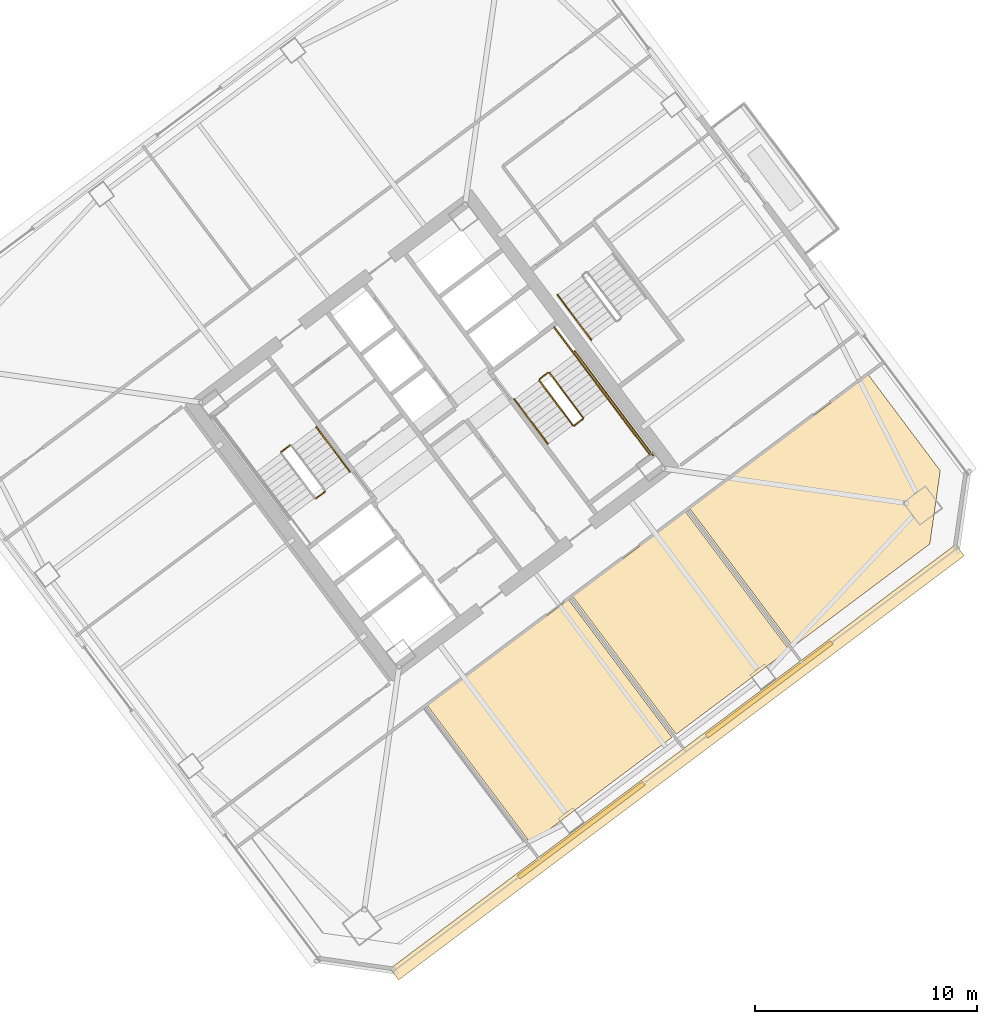
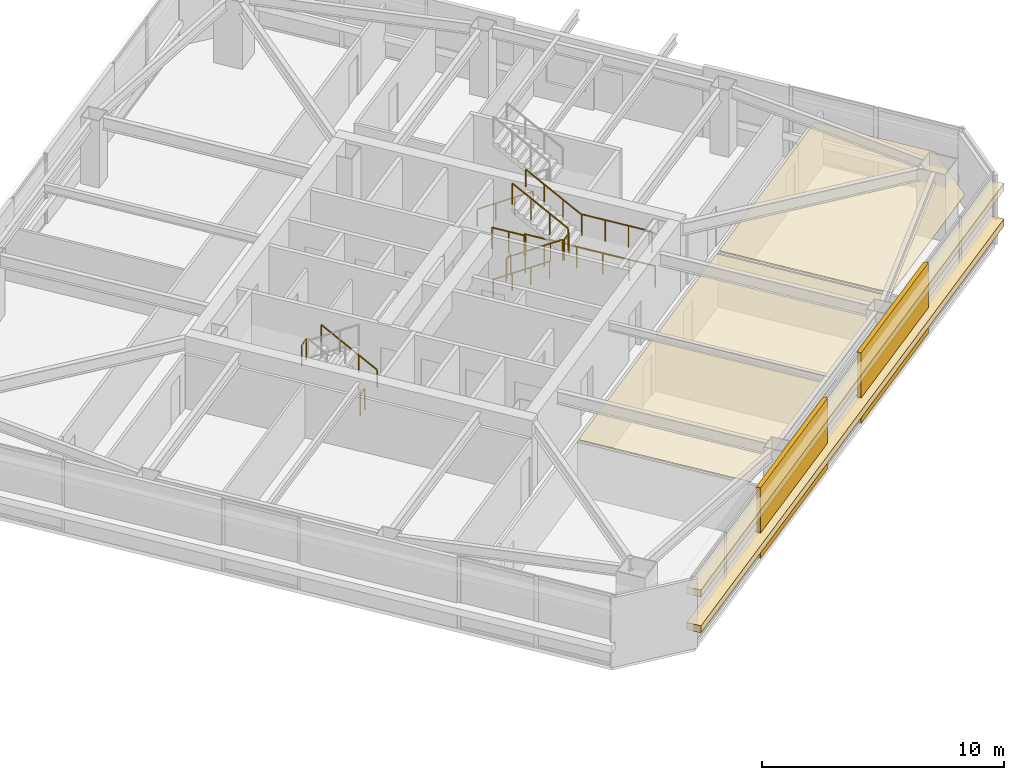
# One storey, part 42 of 44: 13 railings, 7 coverings.
"""IFC4 building model written with IfcOpenShell, lengths in metres."""

from ifc_helpers import new_model, si_unit, direction, frame, origin, origin_2d, place, context, subcontext, project, spatial, polyline, rectangle, outline, extrude, material, layer, layer_set, type_object, element, save


model = new_model("IFC4")

# Units and contexts
model_context = context("Model", 3, precision=1e-05, world=origin(), true_north=direction((0.0, 1.0)))
body_context = subcontext(model_context, "Body", "Model", "MODEL_VIEW")
ifc_project = project(units=[si_unit("LENGTHUNIT", "METRE"), si_unit("AREAUNIT", "SQUARE_METRE"), si_unit("VOLUMEUNIT", "CUBIC_METRE"), si_unit("PLANEANGLEUNIT", "RADIAN"), si_unit("MASSUNIT", "GRAM", prefix="KILO")], contexts=[model_context])

# Site, building, storey
site_placement = place(None, origin())
site = spatial("IfcSite", under=ifc_project, at=site_placement, CompositionType="ELEMENT")
building_placement = place(site_placement, origin())
building = spatial("IfcBuilding", under=site, at=building_placement, Name="Tashvorn Skyway Center", CompositionType="ELEMENT")
storey_placement = place(building_placement, frame((0.0, 0.0, 128.60009765625)))
storey = spatial("IfcBuildingStorey", under=building, at=storey_placement, Name="L34", CompositionType="ELEMENT", Elevation=128.60009765625)

# Coverings
ifc_material_1 = material(Name="Precast concrete C40/50", Category="concrete")
ifc_layer_1 = layer(ifc_material_1, 0.199951171875)
ifc_layer_set_1 = layer_set([ifc_layer_1], Name="Precast concrete C40/50")
covering_type_1 = type_object("IfcCoveringType", Name="COV-BRACE-CLAD", PredefinedType="CLADDING", material=ifc_layer_set_1)
for number, where, z_axis, x_axis, name in (
    (1, (129.20263671875, 20.552001953125, 0.0), (0.0, 0.0, 1.0), (-0.799999996291, -0.600000004945, 0.0), "Tower 2 L34 South Unitised Curtain Wall Mega-Brace Cladding Band 1"),
    (2, (120.7333984375, 14.199951171875, 0.0), (0.0, 0.0, 1.0), (-0.799999996291, -0.600000004945, 0.0), "Tower 2 L34 South Unitised Curtain Wall Mega-Brace Cladding Band 2"),
):
    element("IfcCovering", number, at=place(storey_placement, frame(where, z_axis=z_axis, x_axis=x_axis)), inside=storey, type_object=covering_type_1, Name=name, PredefinedType="CLADDING", context=body_context, shape_type="SweptSolid", body=[
        extrude(rectangle(XDim=7.0576171875, YDim=0.199951171875, at=origin_2d()), origin(), (0.0, 0.0, 1.0), 3.550048828125),
    ])
ifc_material_2 = material(Name="Mineral-fibre acoustic ceiling tile on suspended grid")
ifc_layer_2 = layer(ifc_material_2, 0.02001953125)
ifc_layer_set_2 = layer_set([ifc_layer_2], Name="Mineral-fibre acoustic ceiling tile on suspended grid")
covering_type_2 = type_object("IfcCoveringType", Name="COV-CEIL-20", PredefinedType="CEILING", material=ifc_layer_set_2)
covering_1_placement = place(storey_placement, frame((0.0, 0.0, 2.702880859375)))
element("IfcCovering", 3, at=covering_1_placement, inside=storey, type_object=covering_type_2, Name="Tower 2 L34 Boardroom Acoustic Ceiling", PredefinedType="CEILING", context=body_context, shape_type="SweptSolid", body=[
    extrude(outline(polyline([(113.781982421875, 19.823974609375), (120.14990234375, 24.60009765625), (124.81201171875, 18.384033203125), (118.444091796875, 13.60791015625), (113.781982421875, 19.823974609375)])), origin(), (0.0, 0.0, 1.0), 0.02001953125),
])
covering_2_placement = place(storey_placement, frame((0.0, 0.0, 2.702880859375)))
element("IfcCovering", 4, at=covering_2_placement, inside=storey, type_object=covering_type_2, Name="Tower 2 L34 Boardroom Acoustic Ceiling", PredefinedType="CEILING", context=body_context, shape_type="SweptSolid", body=[
    extrude(outline(polyline([(120.342041015625, 24.743896484375), (125.429931640625, 28.56005859375), (130.092041015625, 22.343994140625), (125.00390625, 18.528076171875), (120.342041015625, 24.743896484375)])), origin(), (0.0, 0.0, 1.0), 0.02001953125),
])
covering_3_placement = place(storey_placement, frame((0.0, 0.0, 2.702880859375)))
element("IfcCovering", 5, at=covering_3_placement, inside=storey, type_object=covering_type_2, Name="Tower 2 L34 Staff Fitness Club Acoustic Ceiling", PredefinedType="CEILING", context=body_context, shape_type="SweptSolid", body=[
    extrude(outline(polyline([(130.283935546875, 22.488037109375), (125.6220703125, 28.7041015625), (133.669921875, 34.739990234375), (136.916015625, 30.412109375), (136.444091796875, 27.10791015625), (130.283935546875, 22.488037109375)])), origin(), (0.0, 0.0, 1.0), 0.02001953125),
])
ifc_material_3 = material(Name="Perforated ceramic-coated bronze aluminium solar screen", Category="aluminium")
ifc_layer_3 = layer(ifc_material_3, 0.85009765625)
ifc_layer_set_3 = layer_set([ifc_layer_3], Name="Perforated ceramic-coated bronze aluminium solar screen")
covering_type_3 = type_object("IfcCoveringType", Name="COV-SOLAR-BAND", PredefinedType="CLADDING", material=ifc_layer_set_3)
for number, where, z_axis, x_axis, name in (
    (6, (125.052001953125, 17.263916015625, 0.919921875), (0.0, 0.0, 1.0), (-0.799999996291, -0.600000004945, 0.0), "L34 Perforated Ceramic-Metal Solar Screen Louvre Band South 1"),
    (7, (125.052001953125, 17.263916015625, 2.7197265625), (0.0, 0.0, 1.0), (-0.799999996291, -0.600000004945, 0.0), "L34 Perforated Ceramic-Metal Solar Screen Louvre Band South 2"),
):
    element("IfcCovering", number, at=place(storey_placement, frame(where, z_axis=z_axis, x_axis=x_axis)), inside=storey, type_object=covering_type_3, Name=name, PredefinedType="CLADDING", context=body_context, shape_type="SweptSolid", body=[
        extrude(rectangle(XDim=31.8798828125, YDim=0.639892578125, at=origin_2d()), origin(), (0.0, 0.0, 1.0), 0.360107421875),
    ])

# Railings
ifc_material_4 = material(Name="Brushed stainless steel 316", Category="steel")
railing_type_1 = type_object("IfcRailingType", Name="RAIL-HAND-920", PredefinedType="HANDRAIL", material=ifc_material_4)
railing_1_placement = place(storey_placement, frame((110.2880859375, 30.365966796875, 0.177490234375)))
element("IfcRailing", 8, at=railing_1_placement, inside=storey, type_object=railing_type_1, Name="L34 ST-T2-1 stair handrail 1", PredefinedType="HANDRAIL", context=body_context, shape_type="SweptSolid", body=[
    extrude(rectangle(XDim=0.048095703125, YDim=0.048095703125, at=origin_2d()), frame((0.0, 0.0, 0.8759765625), z_axis=(-0.506801609611, 0.675680931896, 0.535357270211), x_axis=(-0.799976749893, -0.600030998891, 0.0)), (0.0, 0.0, 1.0), 2.98388671875),
    extrude(rectangle(XDim=0.0419921875, YDim=0.0419921875, at=origin_2d()), origin(), (0.0, 0.0, 1.0), 0.851806640625),
    extrude(rectangle(XDim=0.0419921875, YDim=0.0419921875, at=origin_2d()), frame((-0.504150390625, 0.672119140625, 0.532470703125)), (0.0, 0.0, 1.0), 0.851806640625),
    extrude(rectangle(XDim=0.0419921875, YDim=0.0419921875, at=origin_2d()), frame((-1.008056640625, 1.343994140625, 1.06494140625)), (0.0, 0.0, 1.0), 0.851806640625),
    extrude(rectangle(XDim=0.0419921875, YDim=0.0419921875, at=origin_2d()), frame((-1.51220703125, 2.01611328125, 1.597412109375)), (0.0, 0.0, 1.0), 0.851806640625),
])
railing_2_placement = place(storey_placement, frame((117.7119140625, 33.634033203125, 0.177490234375)))
element("IfcRailing", 9, at=railing_2_placement, inside=storey, type_object=railing_type_1, Name="L34 ST-T2-2 stair handrail 1", PredefinedType="HANDRAIL", context=body_context, shape_type="SweptSolid", body=[
    extrude(rectangle(XDim=0.048095703125, YDim=0.048095703125, at=origin_2d()), frame((0.0, 0.0, 0.8759765625), z_axis=(0.506801609611, -0.675680931896, 0.535357270211), x_axis=(0.799976749893, 0.600030998891, 0.0)), (0.0, 0.0, 1.0), 2.98388671875),
    extrude(rectangle(XDim=0.0419921875, YDim=0.0419921875, at=origin_2d()), origin(), (0.0, 0.0, 1.0), 0.851806640625),
    extrude(rectangle(XDim=0.0419921875, YDim=0.0419921875, at=origin_2d()), frame((0.504150390625, -0.672119140625, 0.532470703125)), (0.0, 0.0, 1.0), 0.851806640625),
    extrude(rectangle(XDim=0.0419921875, YDim=0.0419921875, at=origin_2d()), frame((1.008056640625, -1.343994140625, 1.06494140625)), (0.0, 0.0, 1.0), 0.851806640625),
    extrude(rectangle(XDim=0.0419921875, YDim=0.0419921875, at=origin_2d()), frame((1.51220703125, -2.01611328125, 1.597412109375)), (0.0, 0.0, 1.0), 0.851806640625),
])
railing_3_placement = place(storey_placement, frame((121.927978515625, 33.64599609375, 1.952392578125)))
element("IfcRailing", 10, at=railing_3_placement, inside=storey, type_object=railing_type_1, Name="L34 ST-T2-2 stair handrail 2", PredefinedType="HANDRAIL", context=body_context, shape_type="SweptSolid", body=[
    extrude(rectangle(XDim=0.048095703125, YDim=0.048095703125, at=origin_2d()), frame((0.0, 0.0, 0.8759765625), z_axis=(-0.506740800098, 0.675708949977, 0.535379469569), x_axis=(-0.800023250257, -0.599968998406, 0.0)), (0.0, 0.0, 1.0), 2.983642578125),
    extrude(rectangle(XDim=0.0419921875, YDim=0.0419921875, at=origin_2d()), origin(), (0.0, 0.0, 1.0), 0.851806640625),
    extrude(rectangle(XDim=0.0419921875, YDim=0.0419921875, at=origin_2d()), frame((-0.50390625, 0.672119140625, 0.532470703125)), (0.0, 0.0, 1.0), 0.851806640625),
    extrude(rectangle(XDim=0.0419921875, YDim=0.0419921875, at=origin_2d()), frame((-1.008056640625, 1.343994140625, 1.06494140625)), (0.0, 0.0, 1.0), 0.851806640625),
    extrude(rectangle(XDim=0.0419921875, YDim=0.0419921875, at=origin_2d()), frame((-1.511962890625, 2.01611328125, 1.597412109375)), (0.0, 0.0, 1.0), 0.851806640625),
])
railing_4_placement = place(storey_placement, frame((119.656005859375, 38.342041015625, 0.177490234375)))
element("IfcRailing", 11, at=railing_4_placement, inside=storey, type_object=railing_type_1, Name="L34 ST-T2-3 stair handrail 1", PredefinedType="HANDRAIL", context=body_context, shape_type="SweptSolid", body=[
    extrude(rectangle(XDim=0.048095703125, YDim=0.048095703125, at=origin_2d()), frame((0.0, 0.0, 0.8759765625), z_axis=(0.506740800098, -0.675708949977, 0.535379469569), x_axis=(0.800023250257, 0.599968998406, 0.0)), (0.0, 0.0, 1.0), 2.983642578125),
    extrude(rectangle(XDim=0.0419921875, YDim=0.0419921875, at=origin_2d()), origin(), (0.0, 0.0, 1.0), 0.851806640625),
    extrude(rectangle(XDim=0.0419921875, YDim=0.0419921875, at=origin_2d()), frame((0.50390625, -0.672119140625, 0.532470703125)), (0.0, 0.0, 1.0), 0.851806640625),
    extrude(rectangle(XDim=0.0419921875, YDim=0.0419921875, at=origin_2d()), frame((1.008056640625, -1.343994140625, 1.06494140625)), (0.0, 0.0, 1.0), 0.851806640625),
    extrude(rectangle(XDim=0.0419921875, YDim=0.0419921875, at=origin_2d()), frame((1.511962890625, -2.01611328125, 1.597412109375)), (0.0, 0.0, 1.0), 0.851806640625),
])
ifc_material_5 = material(Name="Painted galvanized steel S355", Category="steel")
railing_type_2 = type_object("IfcRailingType", Name="RAIL-STGUARD-1100", PredefinedType="GUARDRAIL", material=ifc_material_5)
for number, where, name in (
    (12, (107.5859375, 31.552001953125, 1.77490234375), "L34 ST-T2-1 stair guard 2"),
    (13, (109.157958984375, 29.4560546875, 0.0), "L34 ST-T2-1 stair guard 5"),
):
    element("IfcRailing", number, at=place(storey_placement, frame(where)), inside=storey, type_object=railing_type_2, Name=name, PredefinedType="GUARDRAIL", context=body_context, shape_type="SweptSolid", body=[
        extrude(rectangle(XDim=0.048095703125, YDim=0.048095703125, at=origin_2d()), frame((0.0, 0.0, 1.076171875), z_axis=(-0.799938970639, -0.600081363861, 0.0), x_axis=(0.600081363861, -0.799938970639, 0.0)), (0.0, 0.0, 1.0), 0.47998046875),
        extrude(rectangle(XDim=0.0419921875, YDim=0.0419921875, at=origin_2d()), origin(), (0.0, 0.0, 1.0), 1.052001953125),
        extrude(rectangle(XDim=0.0419921875, YDim=0.0419921875, at=origin_2d()), frame((-0.384033203125, -0.2880859375, 0.0)), (0.0, 0.0, 1.0), 1.052001953125),
    ])
railing_5_placement = place(storey_placement, frame((118.83203125, 34.47412109375, 0.177490234375)))
element("IfcRailing", 14, at=railing_5_placement, inside=storey, type_object=railing_type_2, Name="L34 ST-T2-2 stair guard 1", PredefinedType="GUARDRAIL", context=body_context, shape_type="SweptSolid", body=[
    extrude(rectangle(XDim=0.048095703125, YDim=0.048095703125, at=origin_2d()), frame((0.0, 0.0, 1.076171875), z_axis=(0.506740800098, -0.675708949977, 0.535379469569), x_axis=(0.800023250257, 0.599968998406, 0.0)), (0.0, 0.0, 1.0), 2.983642578125),
    extrude(rectangle(XDim=0.0419921875, YDim=0.0419921875, at=origin_2d()), origin(), (0.0, 0.0, 1.0), 1.052001953125),
    extrude(rectangle(XDim=0.0419921875, YDim=0.0419921875, at=origin_2d()), frame((0.50390625, -0.672119140625, 0.532470703125)), (0.0, 0.0, 1.0), 1.052001953125),
    extrude(rectangle(XDim=0.0419921875, YDim=0.0419921875, at=origin_2d()), frame((1.008056640625, -1.343994140625, 1.06494140625)), (0.0, 0.0, 1.0), 1.052001953125),
    extrude(rectangle(XDim=0.0419921875, YDim=0.0419921875, at=origin_2d()), frame((1.511962890625, -2.01611328125, 1.597412109375)), (0.0, 0.0, 1.0), 1.052001953125),
])
railing_6_placement = place(storey_placement, frame((120.4140625, 32.447998046875, 1.77490234375)))
element("IfcRailing", 15, at=railing_6_placement, inside=storey, type_object=railing_type_2, Name="L34 ST-T2-2 stair guard 2", PredefinedType="GUARDRAIL", context=body_context, shape_type="SweptSolid", body=[
    extrude(rectangle(XDim=0.048095703125, YDim=0.048095703125, at=origin_2d()), frame((0.0, 0.0, 1.076171875), z_axis=(0.799938970639, 0.600081363861, 0.0), x_axis=(-0.600081363861, 0.799938970639, 0.0)), (0.0, 0.0, 1.0), 0.47998046875),
    extrude(rectangle(XDim=0.0419921875, YDim=0.0419921875, at=origin_2d()), origin(), (0.0, 0.0, 1.0), 1.052001953125),
    extrude(rectangle(XDim=0.0419921875, YDim=0.0419921875, at=origin_2d()), frame((0.384033203125, 0.2880859375, 0.0)), (0.0, 0.0, 1.0), 1.052001953125),
])
railing_7_placement = place(storey_placement, frame((121.927978515625, 33.64599609375, 1.77490234375)))
element("IfcRailing", 16, at=railing_7_placement, inside=storey, type_object=railing_type_2, Name="L34 ST-T2-2 stair guard 3", PredefinedType="GUARDRAIL", context=body_context, shape_type="SweptSolid", body=[
    extrude(rectangle(XDim=0.048095703125, YDim=0.048095703125, at=origin_2d()), frame((0.0, 0.0, 1.076171875), z_axis=(0.599987638607, -0.800009270896, 0.0), x_axis=(0.800009270896, 0.599987638607, 0.0)), (0.0, 0.0, 1.0), 3.16015625),
    extrude(rectangle(XDim=0.0419921875, YDim=0.0419921875, at=origin_2d()), origin(), (0.0, 0.0, 1.0), 1.052001953125),
    extrude(rectangle(XDim=0.0419921875, YDim=0.0419921875, at=origin_2d()), frame((0.632080078125, -0.8427734375, 0.0)), (0.0, 0.0, 1.0), 1.052001953125),
    extrude(rectangle(XDim=0.0419921875, YDim=0.0419921875, at=origin_2d()), frame((1.263916015625, -1.685302734375, 0.0)), (0.0, 0.0, 1.0), 1.052001953125),
    extrude(rectangle(XDim=0.0419921875, YDim=0.0419921875, at=origin_2d()), frame((1.89599609375, -2.528076171875, 0.0)), (0.0, 0.0, 1.0), 1.052001953125),
])
railing_8_placement = place(storey_placement, frame((120.80810546875, 32.805908203125, 1.952392578125)))
element("IfcRailing", 17, at=railing_8_placement, inside=storey, type_object=railing_type_2, Name="L34 ST-T2-2 stair guard 4", PredefinedType="GUARDRAIL", context=body_context, shape_type="SweptSolid", body=[
    extrude(rectangle(XDim=0.048095703125, YDim=0.048095703125, at=origin_2d()), frame((0.0, 0.0, 1.076171875), z_axis=(-0.506801609611, 0.675680931896, 0.535357270211), x_axis=(-0.799976749893, -0.600030998891, 0.0)), (0.0, 0.0, 1.0), 2.98388671875),
    extrude(rectangle(XDim=0.0419921875, YDim=0.0419921875, at=origin_2d()), origin(), (0.0, 0.0, 1.0), 1.052001953125),
    extrude(rectangle(XDim=0.0419921875, YDim=0.0419921875, at=origin_2d()), frame((-0.504150390625, 0.672119140625, 0.532470703125)), (0.0, 0.0, 1.0), 1.052001953125),
    extrude(rectangle(XDim=0.0419921875, YDim=0.0419921875, at=origin_2d()), frame((-1.008056640625, 1.343994140625, 1.06494140625)), (0.0, 0.0, 1.0), 1.052001953125),
    extrude(rectangle(XDim=0.0419921875, YDim=0.0419921875, at=origin_2d()), frame((-1.51220703125, 2.01611328125, 1.597412109375)), (0.0, 0.0, 1.0), 1.052001953125),
])
railing_9_placement = place(storey_placement, frame((118.842041015625, 34.5439453125, 0.0)))
element("IfcRailing", 18, at=railing_9_placement, inside=storey, type_object=railing_type_2, Name="L34 ST-T2-2 stair guard 5", PredefinedType="GUARDRAIL", context=body_context, shape_type="SweptSolid", body=[
    extrude(rectangle(XDim=0.048095703125, YDim=0.048095703125, at=origin_2d()), frame((0.0, 0.0, 1.076171875), z_axis=(0.799938970639, 0.600081363861, 0.0), x_axis=(-0.600081363861, 0.799938970639, 0.0)), (0.0, 0.0, 1.0), 0.47998046875),
    extrude(rectangle(XDim=0.0419921875, YDim=0.0419921875, at=origin_2d()), origin(), (0.0, 0.0, 1.0), 1.052001953125),
    extrude(rectangle(XDim=0.0419921875, YDim=0.0419921875, at=origin_2d()), frame((0.384033203125, 0.2880859375, 0.0)), (0.0, 0.0, 1.0), 1.052001953125),
])
railing_10_placement = place(storey_placement, frame((119.50390625, 36.8779296875, 0.0)))
element("IfcRailing", 19, at=railing_10_placement, inside=storey, type_object=railing_type_2, Name="L34 ST-T2-2 stair guard 6", PredefinedType="GUARDRAIL", context=body_context, shape_type="SweptSolid", body=[
    extrude(rectangle(XDim=0.048095703125, YDim=0.048095703125, at=origin_2d()), frame((0.0, 0.0, 1.076171875), z_axis=(0.600102796382, -0.799922892393, 0.0), x_axis=(0.799922892393, 0.600102796382, 0.0)), (0.0, 0.0, 1.0), 1.52001953125),
    extrude(rectangle(XDim=0.0419921875, YDim=0.0419921875, at=origin_2d()), origin(), (0.0, 0.0, 1.0), 1.052001953125),
    extrude(rectangle(XDim=0.0419921875, YDim=0.0419921875, at=origin_2d()), frame((0.4560546875, -0.60791015625, 0.0)), (0.0, 0.0, 1.0), 1.052001953125),
    extrude(rectangle(XDim=0.0419921875, YDim=0.0419921875, at=origin_2d()), frame((0.912109375, -1.2158203125, 0.0)), (0.0, 0.0, 1.0), 1.052001953125),
])
railing_11_placement = place(storey_placement, frame((120.43603515625, 35.802001953125, 0.0)))
element("IfcRailing", 20, at=railing_11_placement, inside=storey, type_object=railing_type_2, Name="L34 ST-T2-2 stair guard 7", PredefinedType="GUARDRAIL", context=body_context, shape_type="SweptSolid", body=[
    extrude(rectangle(XDim=0.048095703125, YDim=0.048095703125, at=origin_2d()), frame((0.0, 0.0, 1.076171875), z_axis=(0.6, -0.8, 0.0), x_axis=(0.8, 0.6, 0.0)), (0.0, 0.0, 1.0), 5.880126953125),
    extrude(rectangle(XDim=0.0419921875, YDim=0.0419921875, at=origin_2d()), origin(), (0.0, 0.0, 1.0), 1.052001953125),
    extrude(rectangle(XDim=0.0419921875, YDim=0.0419921875, at=origin_2d()), frame((0.70556640625, -0.94091796875, 0.0)), (0.0, 0.0, 1.0), 1.052001953125),
    extrude(rectangle(XDim=0.0419921875, YDim=0.0419921875, at=origin_2d()), frame((1.4111328125, -1.881591796875, 0.0)), (0.0, 0.0, 1.0), 1.052001953125),
    extrude(rectangle(XDim=0.0419921875, YDim=0.0419921875, at=origin_2d()), frame((2.116943359375, -2.822509765625, 0.0)), (0.0, 0.0, 1.0), 1.052001953125),
    extrude(rectangle(XDim=0.0419921875, YDim=0.0419921875, at=origin_2d()), frame((2.822509765625, -3.76318359375, 0.0)), (0.0, 0.0, 1.0), 1.052001953125),
    extrude(rectangle(XDim=0.0419921875, YDim=0.0419921875, at=origin_2d()), frame((3.528076171875, -4.7041015625, 0.0)), (0.0, 0.0, 1.0), 1.052001953125),
])

save(model, "model.ifc")
